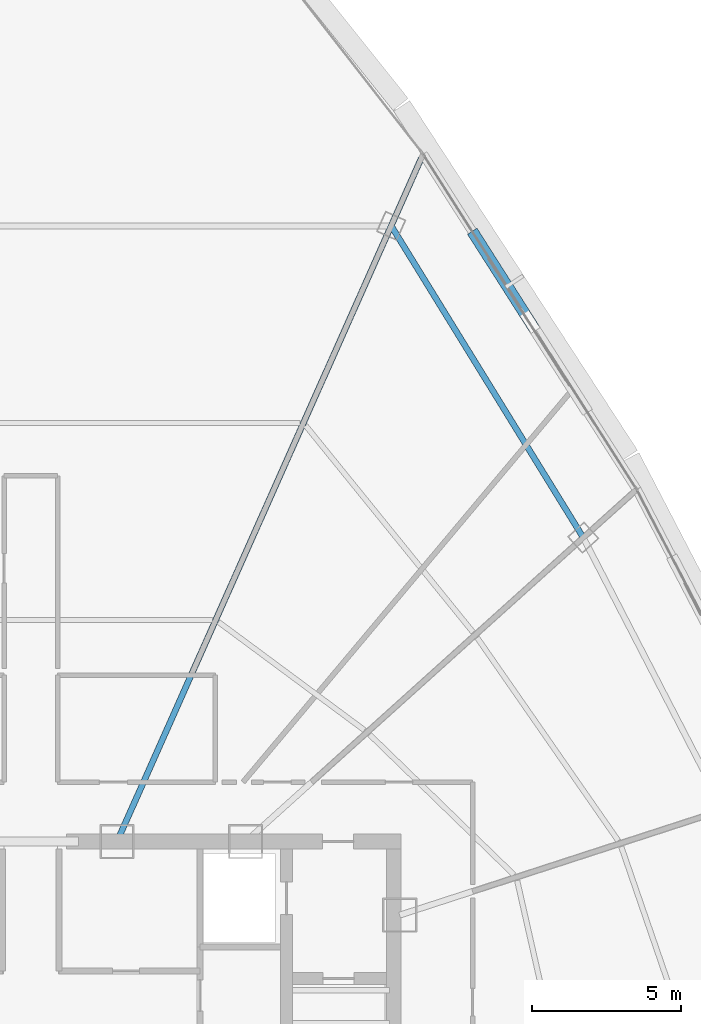
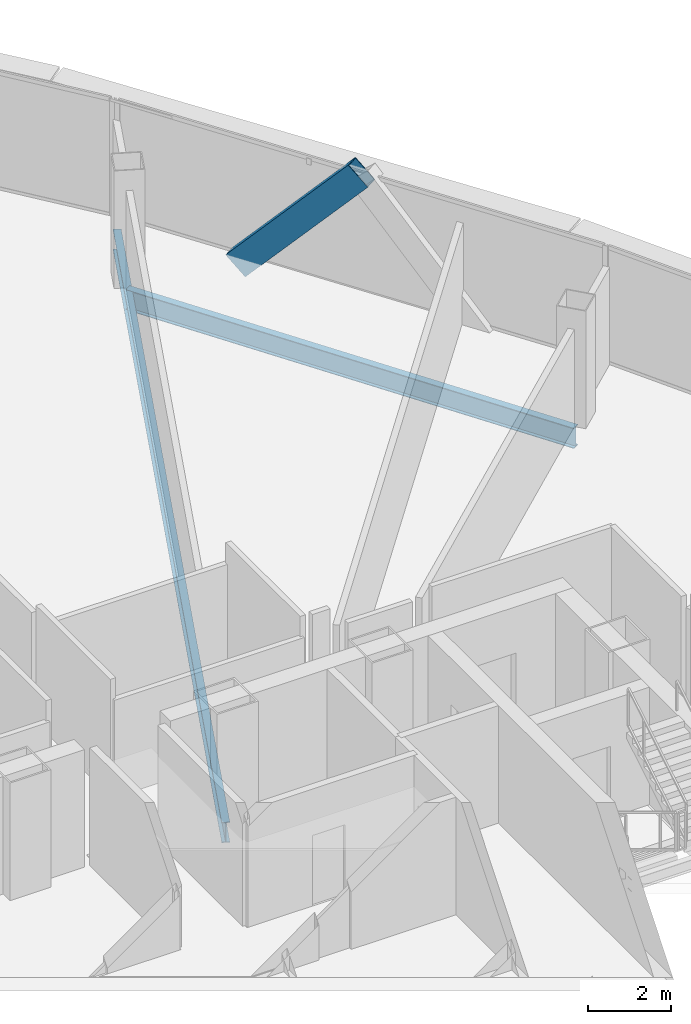
# One storey, part 25 of 40: 2 beams, 1 member.
"""IFC4 building model written with IfcOpenShell, lengths in metres."""

from ifc_helpers import new_model, si_unit, direction, frame, origin, origin_2d, place, context, subcontext, project, spatial, hollow_rectangle, i_section, extrude, source, transform, mapped, material, material_profile, profile_set, type_object, element, save


model = new_model("IFC4")

# Units and contexts
model_context = context("Model", 3, precision=1e-05, world=origin(), true_north=direction((0.0, 1.0)))
body_context = subcontext(model_context, "Body", "Model", "MODEL_VIEW")
ifc_project = project(units=[si_unit("LENGTHUNIT", "METRE"), si_unit("AREAUNIT", "SQUARE_METRE"), si_unit("VOLUMEUNIT", "CUBIC_METRE"), si_unit("PLANEANGLEUNIT", "RADIAN"), si_unit("MASSUNIT", "GRAM", prefix="KILO"), si_unit("THERMODYNAMICTEMPERATUREUNIT", "KELVIN"), si_unit("POWERUNIT", "WATT")], contexts=[model_context])

# Site, building, storey
site_placement = place(None, origin())
site = spatial("IfcSite", under=ifc_project, at=site_placement, CompositionType="ELEMENT")
building_placement = place(site_placement, origin())
building = spatial("IfcBuilding", under=site, at=building_placement, Name="Yunzhuo Pagoda Commons", CompositionType="ELEMENT")
storey_placement = place(building_placement, frame((0.0, 0.0, 292.47998046875)))
storey = spatial("IfcBuildingStorey", under=building, at=storey_placement, Name="L73", CompositionType="ELEMENT", Elevation=292.47998046875)

# Beams
ifc_material = material(Name="Structural steel Q355B", Category="steel")
ifc_material_profile_1 = material_profile(ifc_material, i_section(OverallWidth=0.199951171875, OverallDepth=0.60009765625, WebThickness=0.010986328125, FlangeThickness=0.01708984375, at=origin_2d()), Name="Structural steel Q355B")
ifc_profile_set_1 = profile_set([ifc_material_profile_1], Name="Structural steel Q355B")
beam_type = type_object("IfcBeamType", Name="B-RG3 Beam HN 600x200x11x17", PredefinedType="BEAM", material=ifc_profile_set_1)
shared_shape_1 = source(origin(), body_context, "Body", "SweptSolid", [
    extrude(i_section(OverallWidth=0.199951171875, OverallDepth=0.60009765625, WebThickness=0.010986328125, FlangeThickness=0.01708984375, at=origin_2d()), origin(), (0.0, 0.0, 1.0), 12.315185546875),
])
beam_1_placement = place(storey_placement, frame((66.5732421875, 50.423583984375, -0.56005859375), z_axis=(-0.524469015689, 0.851429534126, 0.0), x_axis=(-0.851429534126, -0.524469015689, 0.0)))
element("IfcBeam", 1, at=beam_1_placement, inside=storey, type_object=beam_type, Name="L73 column-ring beam 7", PredefinedType="BEAM", context=body_context, shape_type="MappedRepresentation", body=[
    mapped(shared_shape_1, transform((0.0, 0.0, 0.0), scale=1.0)),
])
shared_shape_2 = source(origin(), body_context, "Body", "SweptSolid", [
    extrude(i_section(OverallWidth=0.199951171875, OverallDepth=0.60009765625, WebThickness=0.010986328125, FlangeThickness=0.01708984375, at=origin_2d()), origin(), (0.0, 0.0, 1.0), 25.15283203125),
])
beam_2_placement = place(storey_placement, frame((61.12451171875, 63.17822265625, -0.56005859375), z_axis=(-0.40673276589, -0.913547183867, 0.0), x_axis=(0.913547183867, -0.40673276589, 0.0)))
element("IfcBeam", 2, at=beam_2_placement, inside=storey, type_object=beam_type, Name="L73 radial floor girder F2C4", PredefinedType="BEAM", context=body_context, shape_type="MappedRepresentation", body=[
    mapped(shared_shape_2, transform((0.0, 0.0, 0.0), scale=1.0)),
])

# Member
ifc_material_profile_2 = material_profile(ifc_material, hollow_rectangle(XDim=0.3798828125, YDim=0.719970703125, WallThickness=0.02001953125, at=origin_2d()), Name="Structural steel Q355B")
ifc_profile_set_2 = profile_set([ifc_material_profile_2], Name="Structural steel Q355B")
member_type = type_object("IfcMemberType", Name="M-DL3 Brace BOX 720x380x20", PredefinedType="BRACE", material=ifc_profile_set_2)
shared_shape_3 = source(origin(), body_context, "Body", "SweptSolid", [
    extrude(hollow_rectangle(XDim=0.3798828125, YDim=0.719970703125, WallThickness=0.02001953125, at=origin_2d()), origin(), (0.0, 0.0, 1.0), 5.008544921875),
])
member_placement = place(storey_placement, frame((62.98388671875, 60.500732421875, -0.260009765625), z_axis=(0.358611081243, -0.562849280292, 0.744713891427), x_axis=(0.843366631896, 0.537338556409, 0.0)))
element("IfcMember", 3, at=member_placement, inside=storey, type_object=member_type, Name="L73 facade diamond brace F2.3R", PredefinedType="BRACE", context=body_context, shape_type="MappedRepresentation", body=[
    mapped(shared_shape_3, transform((0.0, 0.0, 0.0), scale=1.0)),
])

save(model, "model.ifc")
